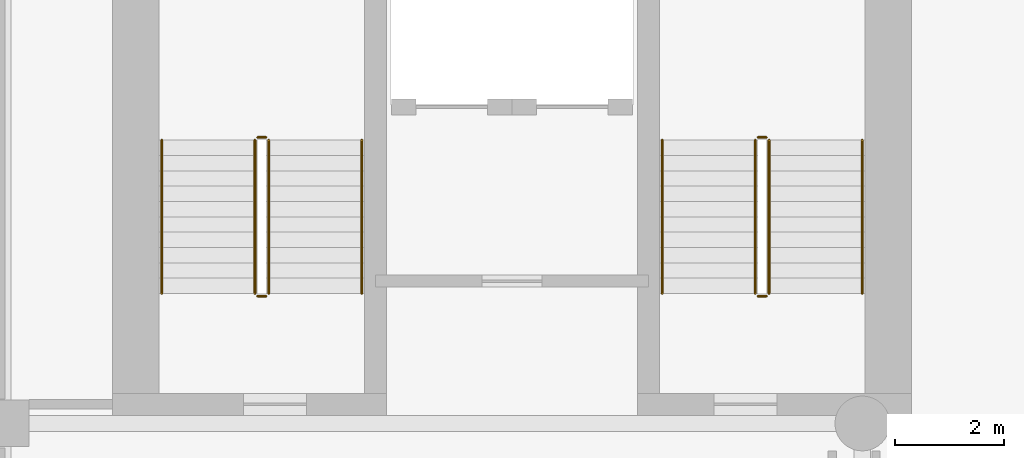
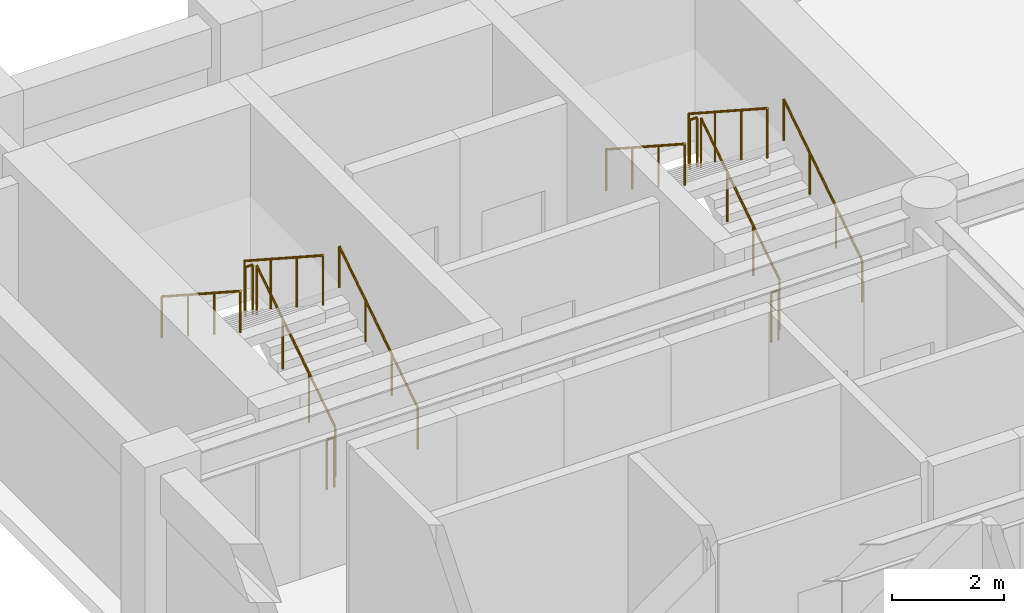
# One storey, part 6 of 7: 12 railings.
"""IFC4 building model written with IfcOpenShell, lengths in metres."""

from ifc_helpers import new_model, si_unit, direction, frame, origin, origin_2d, place, context, subcontext, project, spatial, circle, extrude, material, type_object, element, save


model = new_model("IFC4")

# Units and contexts
model_context = context("Model", 3, precision=1e-05, world=origin(), true_north=direction((0.0, 1.0)))
body_context = subcontext(model_context, "Body", "Model", "MODEL_VIEW")
ifc_project = project(units=[si_unit("LENGTHUNIT", "METRE"), si_unit("AREAUNIT", "SQUARE_METRE"), si_unit("VOLUMEUNIT", "CUBIC_METRE"), si_unit("PLANEANGLEUNIT", "RADIAN"), si_unit("MASSUNIT", "GRAM", prefix="KILO")], contexts=[model_context])

# Site, building, storey
site_placement = place(None, origin())
site = spatial("IfcSite", under=ifc_project, at=site_placement, CompositionType="ELEMENT")
building_placement = place(site_placement, origin())
building = spatial("IfcBuilding", under=site, at=building_placement, Name="Sulina Concourse Tower", CompositionType="ELEMENT")
storey_placement = place(building_placement, frame((0.0, 0.0, 92.60009765625)))
storey = spatial("IfcBuildingStorey", under=building, at=storey_placement, Name="L22", CompositionType="ELEMENT", Elevation=92.60009765625)

# Railings
ifc_material_1 = material(Name="Galvanised steel railing", Category="steel")
railing_type_1 = type_object("IfcRailingType", Name="Core Stair Steel Guardrail 1150mm", PredefinedType="GUARDRAIL", material=ifc_material_1)
railing_1_placement = place(storey_placement, frame((5.554931640625, 36.375, 0.181640625)))
element("IfcRailing", 1, at=railing_1_placement, inside=storey, type_object=railing_type_1, Name="L22 ST-1 stair guard 1", PredefinedType="GUARDRAIL", context=body_context, shape_type="SweptSolid", body=[
    extrude(circle(Radius=0.02392578125, at=origin_2d()), frame((0.0, 0.0, 1.076171875), z_axis=(0.0, 0.838672427954, 0.544636170843), x_axis=(-1.0, 0.0, 0.0)), (0.0, 0.0, 1.0), 3.338623046875),
    extrude(circle(Radius=0.02099609375, at=origin_2d()), origin(), (0.0, 0.0, 1.0), 1.052001953125),
    extrude(circle(Radius=0.02099609375, at=origin_2d()), frame((0.0, 0.933349609375, 0.606201171875)), (0.0, 0.0, 1.0), 1.052001953125),
    extrude(circle(Radius=0.02099609375, at=origin_2d()), frame((0.0, 1.86669921875, 1.212158203125)), (0.0, 0.0, 1.0), 1.052001953125),
    extrude(circle(Radius=0.02099609375, at=origin_2d()), frame((0.0, 2.800048828125, 1.818359375)), (0.0, 0.0, 1.0), 1.052001953125),
])
railing_2_placement = place(storey_placement, frame((5.5048828125, 39.22509765625, 2.0)))
element("IfcRailing", 2, at=railing_2_placement, inside=storey, type_object=railing_type_1, Name="L22 ST-1 stair guard 2", PredefinedType="GUARDRAIL", context=body_context, shape_type="SweptSolid", body=[
    extrude(circle(Radius=0.02392578125, at=origin_2d()), frame((0.0, 0.0, 1.076171875), z_axis=(-1.0, 0.0, 0.0), x_axis=(0.0, -1.0, 0.0)), (0.0, 0.0, 1.0), 0.14990234375),
    extrude(circle(Radius=0.02099609375, at=origin_2d()), origin(), (0.0, 0.0, 1.0), 1.052001953125),
    extrude(circle(Radius=0.02099609375, at=origin_2d()), frame((-0.14990234375, 0.0, 0.0)), (0.0, 0.0, 1.0), 1.052001953125),
])
railing_3_placement = place(storey_placement, frame((5.304931640625, 39.175048828125, 2.181640625)))
element("IfcRailing", 3, at=railing_3_placement, inside=storey, type_object=railing_type_1, Name="L22 ST-1 stair guard 3", PredefinedType="GUARDRAIL", context=body_context, shape_type="SweptSolid", body=[
    extrude(circle(Radius=0.02392578125, at=origin_2d()), frame((0.0, 0.0, 1.076171875), z_axis=(0.0, -0.838672427954, 0.544636170843), x_axis=(1.0, 0.0, 0.0)), (0.0, 0.0, 1.0), 3.338623046875),
    extrude(circle(Radius=0.02099609375, at=origin_2d()), origin(), (0.0, 0.0, 1.0), 1.052001953125),
    extrude(circle(Radius=0.02099609375, at=origin_2d()), frame((0.0, -0.933349609375, 0.606201171875)), (0.0, 0.0, 1.0), 1.052001953125),
    extrude(circle(Radius=0.02099609375, at=origin_2d()), frame((0.0, -1.86669921875, 1.212158203125)), (0.0, 0.0, 1.0), 1.052001953125),
    extrude(circle(Radius=0.02099609375, at=origin_2d()), frame((0.0, -2.800048828125, 1.818359375)), (0.0, 0.0, 1.0), 1.052001953125),
])
railing_4_placement = place(storey_placement, frame((5.5048828125, 36.324951171875, 0.0)))
element("IfcRailing", 4, at=railing_4_placement, inside=storey, type_object=railing_type_1, Name="L22 ST-1 stair guard 4", PredefinedType="GUARDRAIL", context=body_context, shape_type="SweptSolid", body=[
    extrude(circle(Radius=0.02392578125, at=origin_2d()), frame((0.0, 0.0, 1.076171875), z_axis=(-1.0, 0.0, 0.0), x_axis=(0.0, -1.0, 0.0)), (0.0, 0.0, 1.0), 0.14990234375),
    extrude(circle(Radius=0.02099609375, at=origin_2d()), origin(), (0.0, 0.0, 1.0), 1.052001953125),
    extrude(circle(Radius=0.02099609375, at=origin_2d()), frame((-0.14990234375, 0.0, 0.0)), (0.0, 0.0, 1.0), 1.052001953125),
])
railing_5_placement = place(storey_placement, frame((14.695068359375, 36.375, 0.181640625)))
element("IfcRailing", 5, at=railing_5_placement, inside=storey, type_object=railing_type_1, Name="L22 ST-2 stair guard 1", PredefinedType="GUARDRAIL", context=body_context, shape_type="SweptSolid", body=[
    extrude(circle(Radius=0.02392578125, at=origin_2d()), frame((0.0, 0.0, 1.076171875), z_axis=(0.0, 0.838672427954, 0.544636170843), x_axis=(-1.0, 0.0, 0.0)), (0.0, 0.0, 1.0), 3.338623046875),
    extrude(circle(Radius=0.02099609375, at=origin_2d()), origin(), (0.0, 0.0, 1.0), 1.052001953125),
    extrude(circle(Radius=0.02099609375, at=origin_2d()), frame((0.0, 0.933349609375, 0.606201171875)), (0.0, 0.0, 1.0), 1.052001953125),
    extrude(circle(Radius=0.02099609375, at=origin_2d()), frame((0.0, 1.86669921875, 1.212158203125)), (0.0, 0.0, 1.0), 1.052001953125),
    extrude(circle(Radius=0.02099609375, at=origin_2d()), frame((0.0, 2.800048828125, 1.818359375)), (0.0, 0.0, 1.0), 1.052001953125),
])
railing_6_placement = place(storey_placement, frame((14.64501953125, 39.22509765625, 2.0)))
element("IfcRailing", 6, at=railing_6_placement, inside=storey, type_object=railing_type_1, Name="L22 ST-2 stair guard 2", PredefinedType="GUARDRAIL", context=body_context, shape_type="SweptSolid", body=[
    extrude(circle(Radius=0.02392578125, at=origin_2d()), frame((0.0, 0.0, 1.076171875), z_axis=(-1.0, 0.0, 0.0), x_axis=(0.0, -1.0, 0.0)), (0.0, 0.0, 1.0), 0.14990234375),
    extrude(circle(Radius=0.02099609375, at=origin_2d()), origin(), (0.0, 0.0, 1.0), 1.052001953125),
    extrude(circle(Radius=0.02099609375, at=origin_2d()), frame((-0.14990234375, 0.0, 0.0)), (0.0, 0.0, 1.0), 1.052001953125),
])
railing_7_placement = place(storey_placement, frame((14.445068359375, 39.175048828125, 2.181640625)))
element("IfcRailing", 7, at=railing_7_placement, inside=storey, type_object=railing_type_1, Name="L22 ST-2 stair guard 3", PredefinedType="GUARDRAIL", context=body_context, shape_type="SweptSolid", body=[
    extrude(circle(Radius=0.02392578125, at=origin_2d()), frame((0.0, 0.0, 1.076171875), z_axis=(0.0, -0.838672427954, 0.544636170843), x_axis=(1.0, 0.0, 0.0)), (0.0, 0.0, 1.0), 3.338623046875),
    extrude(circle(Radius=0.02099609375, at=origin_2d()), origin(), (0.0, 0.0, 1.0), 1.052001953125),
    extrude(circle(Radius=0.02099609375, at=origin_2d()), frame((0.0, -0.933349609375, 0.606201171875)), (0.0, 0.0, 1.0), 1.052001953125),
    extrude(circle(Radius=0.02099609375, at=origin_2d()), frame((0.0, -1.86669921875, 1.212158203125)), (0.0, 0.0, 1.0), 1.052001953125),
    extrude(circle(Radius=0.02099609375, at=origin_2d()), frame((0.0, -2.800048828125, 1.818359375)), (0.0, 0.0, 1.0), 1.052001953125),
])
railing_8_placement = place(storey_placement, frame((14.64501953125, 36.324951171875, 0.0)))
element("IfcRailing", 8, at=railing_8_placement, inside=storey, type_object=railing_type_1, Name="L22 ST-2 stair guard 4", PredefinedType="GUARDRAIL", context=body_context, shape_type="SweptSolid", body=[
    extrude(circle(Radius=0.02392578125, at=origin_2d()), frame((0.0, 0.0, 1.076171875), z_axis=(-1.0, 0.0, 0.0), x_axis=(0.0, -1.0, 0.0)), (0.0, 0.0, 1.0), 0.14990234375),
    extrude(circle(Radius=0.02099609375, at=origin_2d()), origin(), (0.0, 0.0, 1.0), 1.052001953125),
    extrude(circle(Radius=0.02099609375, at=origin_2d()), frame((-0.14990234375, 0.0, 0.0)), (0.0, 0.0, 1.0), 1.052001953125),
])
ifc_material_2 = material(Name="Galvanised steel railing", Category="steel")
railing_type_2 = type_object("IfcRailingType", Name="Stair Wall Steel Handrail 920mm", PredefinedType="HANDRAIL", material=ifc_material_2)
railing_9_placement = place(storey_placement, frame((7.2548828125, 36.375, 0.181640625)))
element("IfcRailing", 9, at=railing_9_placement, inside=storey, type_object=railing_type_2, Name="L22 ST-1 stair handrail 1", PredefinedType="HANDRAIL", context=body_context, shape_type="SweptSolid", body=[
    extrude(circle(Radius=0.02392578125, at=origin_2d()), frame((0.0, 0.0, 0.89599609375), z_axis=(0.0, 0.838672427954, 0.544636170843), x_axis=(-1.0, 0.0, 0.0)), (0.0, 0.0, 1.0), 3.338623046875),
    extrude(circle(Radius=0.02099609375, at=origin_2d()), origin(), (0.0, 0.0, 1.0), 0.871826171875),
    extrude(circle(Radius=0.02099609375, at=origin_2d()), frame((0.0, 0.933349609375, 0.606201171875)), (0.0, 0.0, 1.0), 0.871826171875),
    extrude(circle(Radius=0.02099609375, at=origin_2d()), frame((0.0, 1.86669921875, 1.212158203125)), (0.0, 0.0, 1.0), 0.871826171875),
    extrude(circle(Radius=0.02099609375, at=origin_2d()), frame((0.0, 2.800048828125, 1.818359375)), (0.0, 0.0, 1.0), 0.871826171875),
])
railing_10_placement = place(storey_placement, frame((3.60498046875, 39.175048828125, 2.181640625)))
element("IfcRailing", 10, at=railing_10_placement, inside=storey, type_object=railing_type_2, Name="L22 ST-1 stair handrail 2", PredefinedType="HANDRAIL", context=body_context, shape_type="SweptSolid", body=[
    extrude(circle(Radius=0.02392578125, at=origin_2d()), frame((0.0, 0.0, 0.89599609375), z_axis=(0.0, -0.838672427954, 0.544636170843), x_axis=(1.0, 0.0, 0.0)), (0.0, 0.0, 1.0), 3.338623046875),
    extrude(circle(Radius=0.02099609375, at=origin_2d()), origin(), (0.0, 0.0, 1.0), 0.871826171875),
    extrude(circle(Radius=0.02099609375, at=origin_2d()), frame((0.0, -0.933349609375, 0.606201171875)), (0.0, 0.0, 1.0), 0.871826171875),
    extrude(circle(Radius=0.02099609375, at=origin_2d()), frame((0.0, -1.86669921875, 1.212158203125)), (0.0, 0.0, 1.0), 0.871826171875),
    extrude(circle(Radius=0.02099609375, at=origin_2d()), frame((0.0, -2.800048828125, 1.818359375)), (0.0, 0.0, 1.0), 0.871826171875),
])
railing_11_placement = place(storey_placement, frame((16.39501953125, 36.375, 0.181640625)))
element("IfcRailing", 11, at=railing_11_placement, inside=storey, type_object=railing_type_2, Name="L22 ST-2 stair handrail 1", PredefinedType="HANDRAIL", context=body_context, shape_type="SweptSolid", body=[
    extrude(circle(Radius=0.02392578125, at=origin_2d()), frame((0.0, 0.0, 0.89599609375), z_axis=(0.0, 0.838672427954, 0.544636170843), x_axis=(-1.0, 0.0, 0.0)), (0.0, 0.0, 1.0), 3.338623046875),
    extrude(circle(Radius=0.02099609375, at=origin_2d()), origin(), (0.0, 0.0, 1.0), 0.871826171875),
    extrude(circle(Radius=0.02099609375, at=origin_2d()), frame((0.0, 0.933349609375, 0.606201171875)), (0.0, 0.0, 1.0), 0.871826171875),
    extrude(circle(Radius=0.02099609375, at=origin_2d()), frame((0.0, 1.86669921875, 1.212158203125)), (0.0, 0.0, 1.0), 0.871826171875),
    extrude(circle(Radius=0.02099609375, at=origin_2d()), frame((0.0, 2.800048828125, 1.818359375)), (0.0, 0.0, 1.0), 0.871826171875),
])
railing_12_placement = place(storey_placement, frame((12.7451171875, 39.175048828125, 2.181640625)))
element("IfcRailing", 12, at=railing_12_placement, inside=storey, type_object=railing_type_2, Name="L22 ST-2 stair handrail 2", PredefinedType="HANDRAIL", context=body_context, shape_type="SweptSolid", body=[
    extrude(circle(Radius=0.02392578125, at=origin_2d()), frame((0.0, 0.0, 0.89599609375), z_axis=(0.0, -0.838672427954, 0.544636170843), x_axis=(1.0, 0.0, 0.0)), (0.0, 0.0, 1.0), 3.338623046875),
    extrude(circle(Radius=0.02099609375, at=origin_2d()), origin(), (0.0, 0.0, 1.0), 0.871826171875),
    extrude(circle(Radius=0.02099609375, at=origin_2d()), frame((0.0, -0.933349609375, 0.606201171875)), (0.0, 0.0, 1.0), 0.871826171875),
    extrude(circle(Radius=0.02099609375, at=origin_2d()), frame((0.0, -1.86669921875, 1.212158203125)), (0.0, 0.0, 1.0), 0.871826171875),
    extrude(circle(Radius=0.02099609375, at=origin_2d()), frame((0.0, -2.800048828125, 1.818359375)), (0.0, 0.0, 1.0), 0.871826171875),
])

save(model, "model.ifc")
